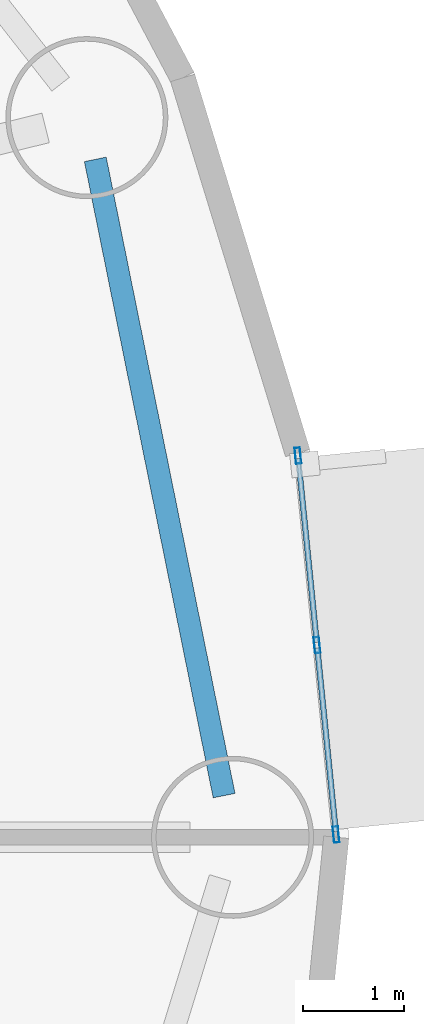
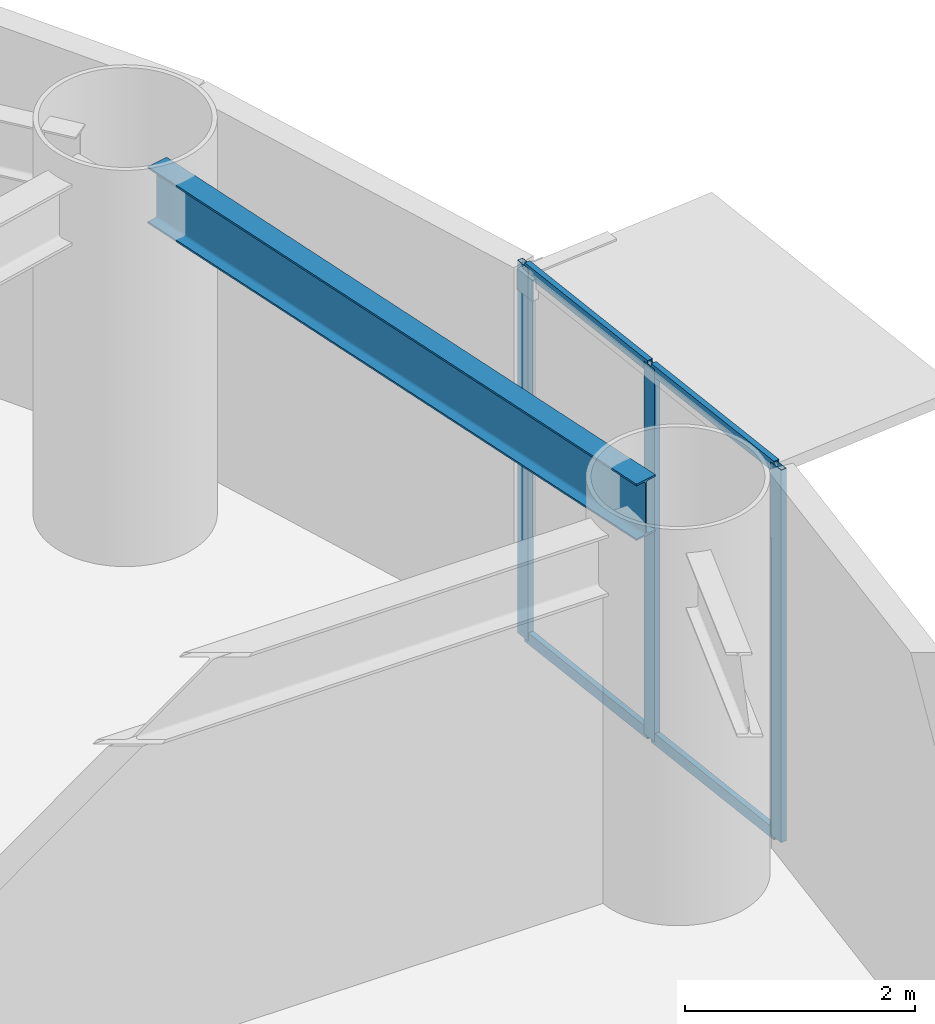
# One storey, part 9 of 32: 7 members, 1 beam, 1 element without a shape of its own.
"""IFC4 building model written with IfcOpenShell, lengths in metres."""

import ifcopenshell
import ifcopenshell.guid

model = None  # the IFC model being written
_history = None  # IfcOwnerHistory: only IFC2X3 demands one
_inside = {}  # id of a spatial element -> (the spatial element, [elements in it])
_under = {}  # id of a project, library or spatial element -> (it, [spatial elements below it])
_declared = {}  # id of a project -> (the project, [libraries it declares])
_typed = {}  # id of a type object -> (the type object, [elements of that type])
_made_of = {}  # id of a material, layer set ... -> (it, [elements and type objects made of it])


def new_model(schema):
    """Start an empty IFC model of exactly this schema.

    Asked for "IFC4X3", IfcOpenShell would pick the latest addendum, in which some entities
    have other attributes; the version numbers below select the first issue.
    IFC2X3 requires an IfcOwnerHistory on every rooted entity: one is made here for all.
    """
    global model, _history
    if schema == "IFC4X3":
        model = ifcopenshell.file(schema_version=(4, 3, 0, 0))
    else:
        model = ifcopenshell.file(schema=schema)
    _inside.clear()
    _under.clear()
    _declared.clear()
    _typed.clear()
    _made_of.clear()
    _history = None
    if model.schema == "IFC2X3":
        org = make("IfcOrganization", Name="unknown")
        user = make(
            "IfcPersonAndOrganization",
            ThePerson=make("IfcPerson", FamilyName="unknown"),
            TheOrganization=org,
        )
        app = make(
            "IfcApplication",
            ApplicationDeveloper=org,
            Version="unknown",
            ApplicationFullName="unknown",
            ApplicationIdentifier="unknown",
        )
        _history = make(
            "IfcOwnerHistory",
            OwningUser=user,
            OwningApplication=app,
            ChangeAction="ADDED",
            CreationDate=0,
        )
    return model


def make(cls, **values):
    """One entity of the class cls with the attributes given. An attribute that is None is left unset."""
    return model.create_entity(
        cls, **{name: value for name, value in values.items() if value is not None}
    )


def rooted(cls, **values):
    """An entity with a GlobalId (a new one), such as an element, a storey or a relation."""
    return make(cls, GlobalId=ifcopenshell.guid.new(), OwnerHistory=_history, **values)


def si_unit(unit_type, name, prefix=None):
    """IfcSIUnit, for example si_unit("LENGTHUNIT", "METRE", prefix="MILLI")."""
    return make("IfcSIUnit", UnitType=unit_type, Prefix=prefix, Name=name)


def assignment(units):
    """IfcUnitAssignment: the units of a project."""
    return None if units is None else make("IfcUnitAssignment", Units=units)


def point(xyz):
    """IfcCartesianPoint."""
    return None if xyz is None else make("IfcCartesianPoint", Coordinates=xyz)


def direction(xyz):
    """IfcDirection."""
    return None if xyz is None else make("IfcDirection", DirectionRatios=xyz)


def frame(location, z_axis=None, x_axis=None):
    """IfcAxis2Placement3D, a coordinate frame: its origin and axes. An axis left out is left unset."""
    return make(
        "IfcAxis2Placement3D",
        Location=point(location),
        Axis=direction(z_axis),
        RefDirection=direction(x_axis),
    )


def frame_2d(location, x_axis=None):
    """IfcAxis2Placement2D, a coordinate frame in the plane: its origin and x axis."""
    return make(
        "IfcAxis2Placement2D", Location=point(location), RefDirection=direction(x_axis)
    )


def origin():
    """The frame at (0, 0, 0) with its axes left unset."""
    return frame((0.0, 0.0, 0.0))


def origin_2d():
    """The frame at (0, 0) in the plane with its x axis left unset."""
    return frame_2d((0.0, 0.0))


def place(relative_to, where):
    """IfcLocalPlacement: puts the frame where relative to a parent placement (None: the world)."""
    return make(
        "IfcLocalPlacement", PlacementRelTo=relative_to, RelativePlacement=where
    )


def context(
    kind, dimensions, precision=None, world=None, true_north=None, identifier=None
):
    """IfcGeometricRepresentationContext, for example the 3D "Model" context."""
    return make(
        "IfcGeometricRepresentationContext",
        ContextIdentifier=identifier,
        ContextType=kind,
        CoordinateSpaceDimension=dimensions,
        Precision=precision,
        WorldCoordinateSystem=world,
        TrueNorth=true_north,
    )


def subcontext(parent, identifier, kind, view, scale=None):
    """IfcGeometricRepresentationSubContext, for example "Body" below "Model"."""
    return make(
        "IfcGeometricRepresentationSubContext",
        ContextIdentifier=identifier,
        ContextType=kind,
        ParentContext=parent,
        TargetScale=scale,
        TargetView=view,
    )


def project(units=None, contexts=None):
    """IfcProject with its units and contexts."""
    return rooted(
        "IfcProject",
        Name="project",
        RepresentationContexts=contexts,
        UnitsInContext=assignment(units),
    )


def spatial(cls, under=None, at=None, **own):
    """A site, building, storey or space (cls), placed at a placement, below another one or the project."""
    s = rooted(cls, ObjectPlacement=at, **own)
    if under is not None:
        _under.setdefault(under.id(), (under, []))[1].append(s)
    return s


def profile(cls, at=None, kind="AREA", **sizes):
    """A parametric profile (cls). Its sizes go by their IFC names, for example OverallWidth=200.0."""
    return make(cls, ProfileType=kind, Position=at, **sizes)


def hollow_rectangle(**sizes):
    """IfcRectangleHollowProfileDef."""
    return profile("IfcRectangleHollowProfileDef", **sizes)


def i_section(**sizes):
    """IfcIShapeProfileDef."""
    return profile("IfcIShapeProfileDef", **sizes)


def extrude(swept, where, along, depth):
    """IfcExtrudedAreaSolid: the profile swept, set in the frame where, extruded along a direction by depth."""
    return make(
        "IfcExtrudedAreaSolid",
        SweptArea=swept,
        Position=where,
        ExtrudedDirection=direction(along),
        Depth=depth,
    )


def shape(context_of_items, identifier, shape_type, items):
    """IfcShapeRepresentation: the items that make up one representation, for example the "Body"."""
    return make(
        "IfcShapeRepresentation",
        ContextOfItems=context_of_items,
        RepresentationIdentifier=identifier,
        RepresentationType=shape_type,
        Items=items,
    )


def source(mapping_origin, context_of_items, identifier, shape_type, items):
    """IfcRepresentationMap: a shape defined once, which mapped items show again and again."""
    return make(
        "IfcRepresentationMap",
        MappingOrigin=mapping_origin,
        MappedRepresentation=shape(context_of_items, identifier, shape_type, items),
    )


def transform(
    local_origin,
    x_axis=None,
    y_axis=None,
    z_axis=None,
    scale=None,
    scale2=None,
    scale3=None,
    uniform=True,
):
    """IfcCartesianTransformationOperator3D, or its non-uniform kind. x_axis, y_axis, z_axis: its Axis1, 2, 3."""
    if uniform:
        return make(
            "IfcCartesianTransformationOperator3D",
            Axis1=direction(x_axis),
            Axis2=direction(y_axis),
            LocalOrigin=point(local_origin),
            Scale=scale,
            Axis3=direction(z_axis),
        )
    return make(
        "IfcCartesianTransformationOperator3DnonUniform",
        Axis1=direction(x_axis),
        Axis2=direction(y_axis),
        LocalOrigin=point(local_origin),
        Scale=scale,
        Axis3=direction(z_axis),
        Scale2=scale2,
        Scale3=scale3,
    )


def mapped(mapping_source, mapping_target):
    """IfcMappedItem: shows the shape of a source again, moved by a transform."""
    return make(
        "IfcMappedItem", MappingSource=mapping_source, MappingTarget=mapping_target
    )


def material(Name=None, Category=None):
    """IfcMaterial."""
    return make("IfcMaterial", Name=Name, Category=Category)


def layer(
    of_material, thickness, ventilated=None, Name=None, Category=None, Priority=None
):
    """IfcMaterialLayer: one layer of a wall or slab, of a material (None: an air gap)."""
    return make(
        "IfcMaterialLayer",
        Material=of_material,
        LayerThickness=thickness,
        IsVentilated=ventilated,
        Name=Name,
        Category=Category,
        Priority=Priority,
    )


def layer_set(layers, Name=None):
    """IfcMaterialLayerSet."""
    return make("IfcMaterialLayerSet", MaterialLayers=layers, LayerSetName=Name)


def material_profile(
    of_material, cross_section, Name=None, Category=None, Priority=None
):
    """IfcMaterialProfile: a cross section and its material."""
    return make(
        "IfcMaterialProfile",
        Name=Name,
        Material=of_material,
        Profile=cross_section,
        Priority=Priority,
        Category=Category,
    )


def profile_set(profiles, Name=None, composite=None):
    """IfcMaterialProfileSet."""
    return make(
        "IfcMaterialProfileSet",
        Name=Name,
        MaterialProfiles=profiles,
        CompositeProfile=composite,
    )


def made_of(thing, what):
    """Note that an element or type object is made of a material, layer set ...; save() writes the relation."""
    if what is not None:
        _made_of.setdefault(what.id(), (what, []))[1].append(thing)
    return thing


def type_object(cls, material=None, **own):
    """A type object (cls), such as IfcWallType, which elements share."""
    return made_of(rooted(cls, **own), material)


def element(
    cls,
    number,
    at=None,
    inside=None,
    cuts=None,
    type_object=None,
    material=None,
    context=None,
    identifier="Body",
    shape_type=None,
    held_by="IfcProductDefinitionShape",
    body=None,
    shapes=None,
    **own,
):
    """One element of the class cls, such as IfcWall. Its Tag is "e" and its number.

    at: its placement. inside: the storey or other place that contains it. cuts: it is an
    opening in that element (IfcRelVoidsElement). A single representation is given by context,
    identifier, shape_type and body (its items); several are given by shapes. held_by: the class
    of the entity that holds the representations. save() writes the other relations.
    """
    e = rooted(cls, Tag="e%d" % number, ObjectPlacement=at, **own)
    if body is not None:
        shapes = [shape(context, identifier, shape_type, body)]
    if shapes is not None:
        e.Representation = make(held_by, Representations=shapes)
    if inside is not None:
        _inside.setdefault(inside.id(), (inside, []))[1].append(e)
    if cuts is not None:
        rooted(
            "IfcRelVoidsElement", RelatingBuildingElement=cuts, RelatedOpeningElement=e
        )
    if type_object is not None:
        _typed.setdefault(type_object.id(), (type_object, []))[1].append(e)
    return made_of(e, material)


def aggregate(whole, parts):
    """IfcRelAggregates: a whole, such as a stair, and the parts it consists of."""
    return rooted("IfcRelAggregates", RelatingObject=whole, RelatedObjects=parts)


def save(model, path):
    """Write the relations noted so far, then the file.

    IfcRelAggregates (storeys below a building ...), IfcRelContainedInSpatialStructure (elements
    in a storey), IfcRelDefinesByType, IfcRelAssociatesMaterial and IfcRelDeclares: one each for
    every whole, place, type object, material and project.
    """
    for whole, parts in _under.values():
        aggregate(whole, parts)
    for where, things in _inside.values():
        rooted(
            "IfcRelContainedInSpatialStructure",
            RelatedElements=things,
            RelatingStructure=where,
        )
    for kind, things in _typed.values():
        rooted("IfcRelDefinesByType", RelatedObjects=things, RelatingType=kind)
    for what, things in _made_of.values():
        rooted("IfcRelAssociatesMaterial", RelatedObjects=things, RelatingMaterial=what)
    for by, libraries in _declared.values():
        rooted("IfcRelDeclares", RelatingContext=by, RelatedDefinitions=libraries)
    model.write(path)


model = new_model("IFC4")

# Units and contexts
model_context = context("Model", 3, precision=1e-05, world=origin(), true_north=direction((0.0, 1.0)))
body_context = subcontext(model_context, "Body", "Model", "MODEL_VIEW")
ifc_project = project(units=[si_unit("LENGTHUNIT", "METRE"), si_unit("AREAUNIT", "SQUARE_METRE"), si_unit("VOLUMEUNIT", "CUBIC_METRE"), si_unit("PLANEANGLEUNIT", "RADIAN"), si_unit("MASSUNIT", "GRAM", prefix="KILO")], contexts=[model_context])

# Site, building, storey
site_placement = place(None, origin())
site = spatial("IfcSite", under=ifc_project, at=site_placement, CompositionType="ELEMENT")
building_placement = place(site_placement, origin())
building = spatial("IfcBuilding", under=site, at=building_placement, Name="Linh Dai School and Residence Tower", CompositionType="ELEMENT")
storey_placement = place(building_placement, frame((0.0, 0.0, 40.800048828125)))
storey = spatial("IfcBuildingStorey", under=building, at=storey_placement, Name="L09", CompositionType="ELEMENT", Elevation=40.800048828125)

# Beam
ifc_material_1 = material(Name="Structural Steel S355JR", Category="steel")
ifc_material_profile_1 = material_profile(ifc_material_1, i_section(OverallWidth=0.219970703125, OverallDepth=0.60009765625, WebThickness=0.011962890625, FlangeThickness=0.01904296875, FilletRadius=0.02392578125, at=origin_2d()), Name="IPE 600")
ifc_profile_set_1 = profile_set([ifc_material_profile_1], Name="Structural Steel S355JR")
beam_type = type_object("IfcBeamType", Name="BM-RB60", PredefinedType="BEAM", material=ifc_profile_set_1)
beam_placement = place(storey_placement, frame((65.966552734375, 27.41162109375, 3.64990234375), z_axis=(-0.198429171022, 0.980115230005, 0.0), x_axis=(-0.980115230005, -0.198429171022, 0.0)))
element("IfcBeam", 1, at=beam_placement, inside=storey, type_object=beam_type, Name="L09 Perimeter Elliptical Ring Beam 01", PredefinedType="BEAM", context=body_context, shape_type="SweptSolid", body=[
    extrude(i_section(OverallWidth=0.219970703125, OverallDepth=0.60009765625, WebThickness=0.011962890625, FlangeThickness=0.01904296875, FilletRadius=0.02392578125, at=origin_2d()), origin(), (0.0, 0.0, 1.0), 6.41259765625),
])

# Curtain wall, members
ifc_material_2 = material(Name="Aluminium Anodised Curtain Wall", Category="aluminium")
ifc_layer = layer(ifc_material_2, 0.159912109375)
ifc_layer_set = layer_set([ifc_layer], Name="Aluminium Anodised Curtain Wall")
curtain_wall_type = type_object("IfcCurtainWallType", Name="CW-SYS-3", PredefinedType="USERDEFINED", material=ifc_layer_set)
curtain_wall_placement = place(storey_placement, origin())
curtain_wall = element("IfcCurtainWall", 2, at=curtain_wall_placement, inside=storey, type_object=curtain_wall_type, Name="L09 CW3 Curtain Wall 01", ObjectType="RIBBON CURTAIN WALL", PredefinedType="USERDEFINED")
ifc_material_3 = material(Name="Aluminium Alloy 6063-T6", Category="aluminium")
ifc_material_profile_2 = material_profile(ifc_material_3, hollow_rectangle(XDim=0.054931640625, YDim=0.1201171875, WallThickness=0.00390625, at=origin_2d()), Name="RHS 120x55x4")
ifc_profile_set_2 = profile_set([ifc_material_profile_2], Name="Aluminium Alloy 6063-T6")
member_type_1 = type_object("IfcMemberType", Name="CW-SYS-3-TRN", PredefinedType="USERDEFINED", material=ifc_profile_set_2)
shared_shape_1 = source(origin(), body_context, "Body", "SweptSolid", [
    extrude(hollow_rectangle(XDim=0.054931640625, YDim=0.1201171875, WallThickness=0.00390625, at=origin_2d()), origin(), (0.0, 0.0, 1.0), 1.825439453125),
])
member_1_placement = place(storey_placement, frame((66.698974609375, 30.7421875, 0.02734375), z_axis=(0.099900947353, -0.994997387292, 0.0), x_axis=(0.994997387292, 0.099900947353, 0.0)))
member_1 = element("IfcMember", 3, at=member_1_placement, type_object=member_type_1, Name="CW3 transom 1.1", ObjectType="TRANSOM", PredefinedType="USERDEFINED", context=body_context, shape_type="MappedRepresentation", body=[
    mapped(shared_shape_1, transform((0.0, 0.0, 0.0), x_axis=(1.0, 0.0, 0.0), y_axis=(0.0, 1.0, 0.0), z_axis=(0.0, 0.0, 1.0), scale=1.0)),
])
member_2_placement = place(storey_placement, frame((66.698974609375, 30.7421875, 3.92236328125), z_axis=(0.099900947353, -0.994997387292, 0.0), x_axis=(0.994997387292, 0.099900947353, 0.0)))
member_2 = element("IfcMember", 4, at=member_2_placement, type_object=member_type_1, Name="CW3 transom 1.2", ObjectType="TRANSOM", PredefinedType="USERDEFINED", context=body_context, shape_type="MappedRepresentation", body=[
    mapped(shared_shape_1, transform((0.0, 0.0, 0.0), x_axis=(1.0, 0.0, 0.0), y_axis=(0.0, 1.0, 0.0), z_axis=(0.0, 0.0, 1.0), scale=1.0)),
])
shared_shape_2 = source(origin(), body_context, "Body", "SweptSolid", [
    extrude(hollow_rectangle(XDim=0.054931640625, YDim=0.1201171875, WallThickness=0.00390625, at=origin_2d()), origin(), (0.0, 0.0, 1.0), 1.82568359375),
])
member_3_placement = place(storey_placement, frame((66.886962890625, 28.87109375, 0.02734375), z_axis=(0.100033346193, -0.994984085124, 0.0), x_axis=(0.994984085124, 0.100033346193, 0.0)))
member_3 = element("IfcMember", 5, at=member_3_placement, type_object=member_type_1, Name="CW3 transom 2.1", ObjectType="TRANSOM", PredefinedType="USERDEFINED", context=body_context, shape_type="MappedRepresentation", body=[
    mapped(shared_shape_2, transform((0.0, 0.0, 0.0), x_axis=(1.0, 0.0, 0.0), y_axis=(0.0, 1.0, 0.0), z_axis=(0.0, 0.0, 1.0), scale=1.0)),
])
member_4_placement = place(storey_placement, frame((66.886962890625, 28.87109375, 3.92236328125), z_axis=(0.100033346193, -0.994984085124, 0.0), x_axis=(0.994984085124, 0.100033346193, 0.0)))
member_4 = element("IfcMember", 6, at=member_4_placement, type_object=member_type_1, Name="CW3 transom 2.2", ObjectType="TRANSOM", PredefinedType="USERDEFINED", context=body_context, shape_type="MappedRepresentation", body=[
    mapped(shared_shape_2, transform((0.0, 0.0, 0.0), x_axis=(1.0, 0.0, 0.0), y_axis=(0.0, 1.0, 0.0), z_axis=(0.0, 0.0, 1.0), scale=1.0)),
])
ifc_material_profile_3 = material_profile(ifc_material_3, hollow_rectangle(XDim=0.054931640625, YDim=0.159912109375, WallThickness=0.00390625, at=origin_2d()), Name="RHS 160x55x4")
ifc_profile_set_3 = profile_set([ifc_material_profile_3], Name="Aluminium Alloy 6063-T6")
member_type_2 = type_object("IfcMemberType", Name="CW-SYS-3-MUL", PredefinedType="MULLION", material=ifc_profile_set_3)
shared_shape_3 = source(origin(), body_context, "Body", "SweptSolid", [
    extrude(hollow_rectangle(XDim=0.054931640625, YDim=0.159912109375, WallThickness=0.00390625, at=origin_2d()), origin(), (0.0, 0.0, 1.0), 3.949951171875),
])
member_5_placement = place(storey_placement, frame((66.696044921875, 30.76953125, 0.0), z_axis=(0.0, 0.0, 1.0), x_axis=(0.994986493533, 0.100009387998, 0.0)))
member_5 = element("IfcMember", 7, at=member_5_placement, type_object=member_type_2, Name="CW3 mullion 1", PredefinedType="MULLION", context=body_context, shape_type="MappedRepresentation", body=[
    mapped(shared_shape_3, transform((0.0, 0.0, 0.0), x_axis=(1.0, 0.0, 0.0), y_axis=(0.0, 1.0, 0.0), z_axis=(0.0, 0.0, 1.0), scale=1.0)),
])
member_6_placement = place(storey_placement, frame((66.88427734375, 28.8984375, 0.0), z_axis=(0.0, 0.0, 1.0), x_axis=(0.994986493533, 0.100009387998, 0.0)))
member_6 = element("IfcMember", 8, at=member_6_placement, type_object=member_type_2, Name="CW3 mullion 2", PredefinedType="MULLION", context=body_context, shape_type="MappedRepresentation", body=[
    mapped(shared_shape_3, transform((0.0, 0.0, 0.0), x_axis=(1.0, 0.0, 0.0), y_axis=(0.0, 1.0, 0.0), z_axis=(0.0, 0.0, 1.0), scale=1.0)),
])
member_7_placement = place(storey_placement, frame((67.072265625, 27.02734375, 0.0), z_axis=(0.0, 0.0, 1.0), x_axis=(0.994986493533, 0.100009387998, 0.0)))
member_7 = element("IfcMember", 9, at=member_7_placement, type_object=member_type_2, Name="CW3 mullion 3", PredefinedType="MULLION", context=body_context, shape_type="MappedRepresentation", body=[
    mapped(shared_shape_3, transform((0.0, 0.0, 0.0), x_axis=(1.0, 0.0, 0.0), y_axis=(0.0, 1.0, 0.0), z_axis=(0.0, 0.0, 1.0), scale=1.0)),
])
aggregate(curtain_wall, [member_5, member_6, member_7, member_1, member_2, member_3, member_4])

save(model, "model.ifc")
